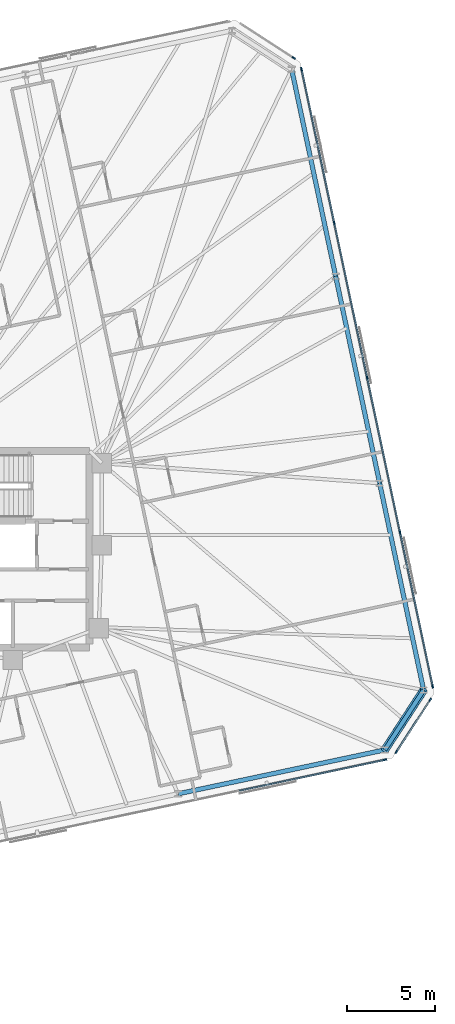
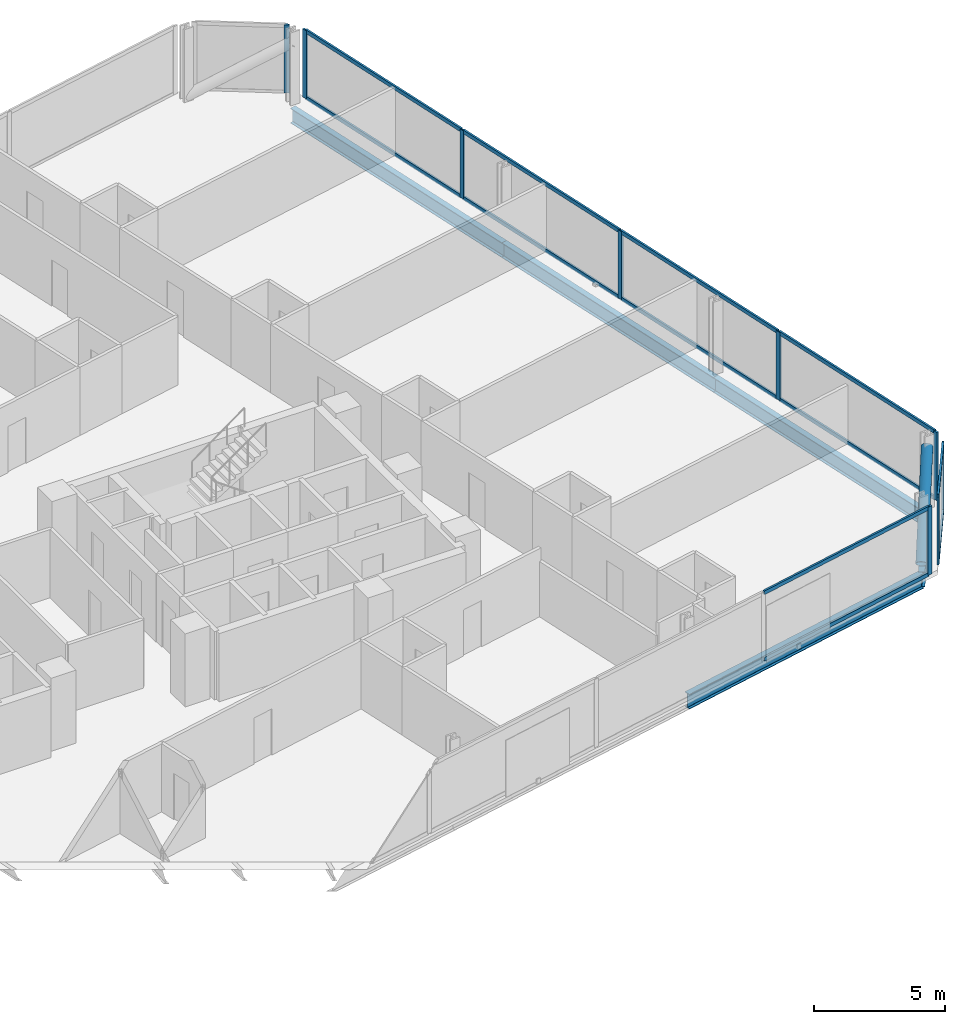
# One storey, part 12 of 19: 22 members, 5 beams, 4 elements without a shape of their own.
"""IFC4 building model written with IfcOpenShell, lengths in metres."""

import ifcopenshell
import ifcopenshell.guid

model = None  # the IFC model being written
_history = None  # IfcOwnerHistory: only IFC2X3 demands one
_inside = {}  # id of a spatial element -> (the spatial element, [elements in it])
_under = {}  # id of a project, library or spatial element -> (it, [spatial elements below it])
_declared = {}  # id of a project -> (the project, [libraries it declares])
_typed = {}  # id of a type object -> (the type object, [elements of that type])
_made_of = {}  # id of a material, layer set ... -> (it, [elements and type objects made of it])


def new_model(schema):
    """Start an empty IFC model of exactly this schema.

    Asked for "IFC4X3", IfcOpenShell would pick the latest addendum, in which some entities
    have other attributes; the version numbers below select the first issue.
    IFC2X3 requires an IfcOwnerHistory on every rooted entity: one is made here for all.
    """
    global model, _history
    if schema == "IFC4X3":
        model = ifcopenshell.file(schema_version=(4, 3, 0, 0))
    else:
        model = ifcopenshell.file(schema=schema)
    _inside.clear()
    _under.clear()
    _declared.clear()
    _typed.clear()
    _made_of.clear()
    _history = None
    if model.schema == "IFC2X3":
        org = make("IfcOrganization", Name="unknown")
        user = make(
            "IfcPersonAndOrganization",
            ThePerson=make("IfcPerson", FamilyName="unknown"),
            TheOrganization=org,
        )
        app = make(
            "IfcApplication",
            ApplicationDeveloper=org,
            Version="unknown",
            ApplicationFullName="unknown",
            ApplicationIdentifier="unknown",
        )
        _history = make(
            "IfcOwnerHistory",
            OwningUser=user,
            OwningApplication=app,
            ChangeAction="ADDED",
            CreationDate=0,
        )
    return model


def make(cls, **values):
    """One entity of the class cls with the attributes given. An attribute that is None is left unset."""
    return model.create_entity(
        cls, **{name: value for name, value in values.items() if value is not None}
    )


def rooted(cls, **values):
    """An entity with a GlobalId (a new one), such as an element, a storey or a relation."""
    return make(cls, GlobalId=ifcopenshell.guid.new(), OwnerHistory=_history, **values)


def si_unit(unit_type, name, prefix=None):
    """IfcSIUnit, for example si_unit("LENGTHUNIT", "METRE", prefix="MILLI")."""
    return make("IfcSIUnit", UnitType=unit_type, Prefix=prefix, Name=name)


def assignment(units):
    """IfcUnitAssignment: the units of a project."""
    return None if units is None else make("IfcUnitAssignment", Units=units)


def point(xyz):
    """IfcCartesianPoint."""
    return None if xyz is None else make("IfcCartesianPoint", Coordinates=xyz)


def direction(xyz):
    """IfcDirection."""
    return None if xyz is None else make("IfcDirection", DirectionRatios=xyz)


def frame(location, z_axis=None, x_axis=None):
    """IfcAxis2Placement3D, a coordinate frame: its origin and axes. An axis left out is left unset."""
    return make(
        "IfcAxis2Placement3D",
        Location=point(location),
        Axis=direction(z_axis),
        RefDirection=direction(x_axis),
    )


def frame_2d(location, x_axis=None):
    """IfcAxis2Placement2D, a coordinate frame in the plane: its origin and x axis."""
    return make(
        "IfcAxis2Placement2D", Location=point(location), RefDirection=direction(x_axis)
    )


def origin():
    """The frame at (0, 0, 0) with its axes left unset."""
    return frame((0.0, 0.0, 0.0))


def origin_2d():
    """The frame at (0, 0) in the plane with its x axis left unset."""
    return frame_2d((0.0, 0.0))


def place(relative_to, where):
    """IfcLocalPlacement: puts the frame where relative to a parent placement (None: the world)."""
    return make(
        "IfcLocalPlacement", PlacementRelTo=relative_to, RelativePlacement=where
    )


def context(
    kind, dimensions, precision=None, world=None, true_north=None, identifier=None
):
    """IfcGeometricRepresentationContext, for example the 3D "Model" context."""
    return make(
        "IfcGeometricRepresentationContext",
        ContextIdentifier=identifier,
        ContextType=kind,
        CoordinateSpaceDimension=dimensions,
        Precision=precision,
        WorldCoordinateSystem=world,
        TrueNorth=true_north,
    )


def subcontext(parent, identifier, kind, view, scale=None):
    """IfcGeometricRepresentationSubContext, for example "Body" below "Model"."""
    return make(
        "IfcGeometricRepresentationSubContext",
        ContextIdentifier=identifier,
        ContextType=kind,
        ParentContext=parent,
        TargetScale=scale,
        TargetView=view,
    )


def project(units=None, contexts=None):
    """IfcProject with its units and contexts."""
    return rooted(
        "IfcProject",
        Name="project",
        RepresentationContexts=contexts,
        UnitsInContext=assignment(units),
    )


def spatial(cls, under=None, at=None, **own):
    """A site, building, storey or space (cls), placed at a placement, below another one or the project."""
    s = rooted(cls, ObjectPlacement=at, **own)
    if under is not None:
        _under.setdefault(under.id(), (under, []))[1].append(s)
    return s


def profile(cls, at=None, kind="AREA", **sizes):
    """A parametric profile (cls). Its sizes go by their IFC names, for example OverallWidth=200.0."""
    return make(cls, ProfileType=kind, Position=at, **sizes)


def rectangle(**sizes):
    """IfcRectangleProfileDef."""
    return profile("IfcRectangleProfileDef", **sizes)


def hollow_circle(**sizes):
    """IfcCircleHollowProfileDef."""
    return profile("IfcCircleHollowProfileDef", **sizes)


def i_section(**sizes):
    """IfcIShapeProfileDef."""
    return profile("IfcIShapeProfileDef", **sizes)


def extrude(swept, where, along, depth):
    """IfcExtrudedAreaSolid: the profile swept, set in the frame where, extruded along a direction by depth."""
    return make(
        "IfcExtrudedAreaSolid",
        SweptArea=swept,
        Position=where,
        ExtrudedDirection=direction(along),
        Depth=depth,
    )


def shape(context_of_items, identifier, shape_type, items):
    """IfcShapeRepresentation: the items that make up one representation, for example the "Body"."""
    return make(
        "IfcShapeRepresentation",
        ContextOfItems=context_of_items,
        RepresentationIdentifier=identifier,
        RepresentationType=shape_type,
        Items=items,
    )


def material(Name=None, Category=None):
    """IfcMaterial."""
    return make("IfcMaterial", Name=Name, Category=Category)


def material_profile(
    of_material, cross_section, Name=None, Category=None, Priority=None
):
    """IfcMaterialProfile: a cross section and its material."""
    return make(
        "IfcMaterialProfile",
        Name=Name,
        Material=of_material,
        Profile=cross_section,
        Priority=Priority,
        Category=Category,
    )


def profile_set(profiles, Name=None, composite=None):
    """IfcMaterialProfileSet."""
    return make(
        "IfcMaterialProfileSet",
        Name=Name,
        MaterialProfiles=profiles,
        CompositeProfile=composite,
    )


def made_of(thing, what):
    """Note that an element or type object is made of a material, layer set ...; save() writes the relation."""
    if what is not None:
        _made_of.setdefault(what.id(), (what, []))[1].append(thing)
    return thing


def type_object(cls, material=None, **own):
    """A type object (cls), such as IfcWallType, which elements share."""
    return made_of(rooted(cls, **own), material)


def element(
    cls,
    number,
    at=None,
    inside=None,
    cuts=None,
    type_object=None,
    material=None,
    context=None,
    identifier="Body",
    shape_type=None,
    held_by="IfcProductDefinitionShape",
    body=None,
    shapes=None,
    **own,
):
    """One element of the class cls, such as IfcWall. Its Tag is "e" and its number.

    at: its placement. inside: the storey or other place that contains it. cuts: it is an
    opening in that element (IfcRelVoidsElement). A single representation is given by context,
    identifier, shape_type and body (its items); several are given by shapes. held_by: the class
    of the entity that holds the representations. save() writes the other relations.
    """
    e = rooted(cls, Tag="e%d" % number, ObjectPlacement=at, **own)
    if body is not None:
        shapes = [shape(context, identifier, shape_type, body)]
    if shapes is not None:
        e.Representation = make(held_by, Representations=shapes)
    if inside is not None:
        _inside.setdefault(inside.id(), (inside, []))[1].append(e)
    if cuts is not None:
        rooted(
            "IfcRelVoidsElement", RelatingBuildingElement=cuts, RelatedOpeningElement=e
        )
    if type_object is not None:
        _typed.setdefault(type_object.id(), (type_object, []))[1].append(e)
    return made_of(e, material)


def aggregate(whole, parts):
    """IfcRelAggregates: a whole, such as a stair, and the parts it consists of."""
    return rooted("IfcRelAggregates", RelatingObject=whole, RelatedObjects=parts)


def save(model, path):
    """Write the relations noted so far, then the file.

    IfcRelAggregates (storeys below a building ...), IfcRelContainedInSpatialStructure (elements
    in a storey), IfcRelDefinesByType, IfcRelAssociatesMaterial and IfcRelDeclares: one each for
    every whole, place, type object, material and project.
    """
    for whole, parts in _under.values():
        aggregate(whole, parts)
    for where, things in _inside.values():
        rooted(
            "IfcRelContainedInSpatialStructure",
            RelatedElements=things,
            RelatingStructure=where,
        )
    for kind, things in _typed.values():
        rooted("IfcRelDefinesByType", RelatedObjects=things, RelatingType=kind)
    for what, things in _made_of.values():
        rooted("IfcRelAssociatesMaterial", RelatedObjects=things, RelatingMaterial=what)
    for by, libraries in _declared.values():
        rooted("IfcRelDeclares", RelatingContext=by, RelatedDefinitions=libraries)
    model.write(path)


model = new_model("IFC4")

# Units and contexts
model_context = context("Model", 3, precision=1e-05, world=origin(), true_north=direction((0.0, 1.0)))
body_context = subcontext(model_context, "Body", "Model", "MODEL_VIEW")
ifc_project = project(units=[si_unit("LENGTHUNIT", "METRE"), si_unit("AREAUNIT", "SQUARE_METRE"), si_unit("VOLUMEUNIT", "CUBIC_METRE"), si_unit("PLANEANGLEUNIT", "RADIAN"), si_unit("MASSUNIT", "GRAM", prefix="KILO")], contexts=[model_context])

# Site, building, storey
site_placement = place(None, origin())
site = spatial("IfcSite", under=ifc_project, at=site_placement, CompositionType="ELEMENT")
building_placement = place(site_placement, origin())
building = spatial("IfcBuilding", under=site, at=building_placement, Name="Menara Jurai Vektor", CompositionType="ELEMENT")
storey_placement = place(building_placement, frame((0.0, 0.0, 195.60009765625)))
storey = spatial("IfcBuildingStorey", under=building, at=storey_placement, Name="L51", CompositionType="ELEMENT", Elevation=195.60009765625)

# Curtain wall, member
ifc_material_1 = material(Name="Anodised Pale Aluminium & Low-E Double Glazing", Category="aluminium")
curtain_wall_type = type_object("IfcCurtainWallType", Name="CW-BLK3", PredefinedType="NOTDEFINED", material=ifc_material_1)
curtain_wall_1_placement = place(storey_placement, origin())
curtain_wall_1 = element("IfcCurtainWall", 1, at=curtain_wall_1_placement, inside=storey, type_object=curtain_wall_type, Name="Unitised Curtain Wall L51 F01", PredefinedType="NOTDEFINED")
ifc_material_2 = material(Name="Anodised Pale Aluminium Mullion", Category="aluminium")
ifc_material_profile_1 = material_profile(ifc_material_2, rectangle(XDim=0.0849609375, YDim=0.205078125, at=origin_2d()), Name="ALU MUL 85x205")
ifc_profile_set_1 = profile_set([ifc_material_profile_1], Name="Anodised Pale Aluminium Mullion")
member_type_1 = type_object("IfcMemberType", Name="CW-BLK3-MUL", PredefinedType="MULLION", material=ifc_profile_set_1)
member_1_placement = place(storey_placement, frame((31.392578125, -11.99755859375, 0.0), z_axis=(0.0, 0.0, 1.0), x_axis=(-0.207911344156, 0.978147674419, 0.0)))
member_1 = element("IfcMember", 2, at=member_1_placement, type_object=member_type_1, Name="CW-03 mullion 8", PredefinedType="MULLION", context=body_context, shape_type="SweptSolid", body=[
    extrude(rectangle(XDim=0.0849609375, YDim=0.205078125, at=origin_2d()), origin(), (0.0, 0.0, 1.0), 3.1748046875),
])

# Curtain wall, members
curtain_wall_2_placement = place(storey_placement, origin())
curtain_wall_2 = element("IfcCurtainWall", 3, at=curtain_wall_2_placement, inside=storey, type_object=curtain_wall_type, Name="Unitised Curtain Wall L51 F02", PredefinedType="NOTDEFINED")
member_2_placement = place(storey_placement, frame((32.035888671875, -11.555419921875, 0.0), z_axis=(0.0, 0.0, 1.0), x_axis=(-0.838684361415, 0.544617794346, 0.0)))
member_2 = element("IfcMember", 4, at=member_2_placement, type_object=member_type_1, Name="CW-03 mullion 1", PredefinedType="MULLION", context=body_context, shape_type="SweptSolid", body=[
    extrude(rectangle(XDim=0.0849609375, YDim=0.205078125, at=origin_2d()), origin(), (0.0, 0.0, 1.0), 3.1748046875),
])
member_3_placement = place(storey_placement, frame((33.96337890625, -8.587158203125, 0.0), z_axis=(0.0, 0.0, 1.0), x_axis=(-0.838684361415, 0.544617794346, 0.0)))
member_3 = element("IfcMember", 5, at=member_3_placement, type_object=member_type_1, Name="CW-03 mullion 2", PredefinedType="MULLION", context=body_context, shape_type="SweptSolid", body=[
    extrude(rectangle(XDim=0.0849609375, YDim=0.205078125, at=origin_2d()), origin(), (0.0, 0.0, 1.0), 3.1748046875),
])

curtain_wall_3_placement = place(storey_placement, origin())
curtain_wall_3 = element("IfcCurtainWall", 6, at=curtain_wall_3_placement, inside=storey, type_object=curtain_wall_type, Name="Unitised Curtain Wall L51 F03", PredefinedType="NOTDEFINED")
member_4_placement = place(storey_placement, frame((34.105712890625, -7.819580078125, 0.0), z_axis=(0.0, 0.0, 1.0), x_axis=(-0.978147883949, -0.20791035839, 0.0)))
member_4 = element("IfcMember", 7, at=member_4_placement, type_object=member_type_1, Name="CW-03 mullion 1", PredefinedType="MULLION", context=body_context, shape_type="SweptSolid", body=[
    extrude(rectangle(XDim=0.0849609375, YDim=0.205078125, at=origin_2d()), origin(), (0.0, 0.0, 1.0), 3.1748046875),
])
member_5_placement = place(storey_placement, frame((32.2412109375, 0.951904296875, 0.0), z_axis=(0.0, 0.0, 1.0), x_axis=(-0.978147883949, -0.20791035839, 0.0)))
member_5 = element("IfcMember", 8, at=member_5_placement, type_object=member_type_1, Name="CW-03 mullion 2", PredefinedType="MULLION", context=body_context, shape_type="SweptSolid", body=[
    extrude(rectangle(XDim=0.0849609375, YDim=0.205078125, at=origin_2d()), origin(), (0.0, 0.0, 1.0), 3.1748046875),
])
member_6_placement = place(storey_placement, frame((30.367919921875, 9.76513671875, 0.0), z_axis=(0.0, 0.0, 1.0), x_axis=(-0.978147883949, -0.20791035839, 0.0)))
member_6 = element("IfcMember", 9, at=member_6_placement, type_object=member_type_1, Name="CW-03 mullion 3", PredefinedType="MULLION", context=body_context, shape_type="SweptSolid", body=[
    extrude(rectangle(XDim=0.0849609375, YDim=0.205078125, at=origin_2d()), origin(), (0.0, 0.0, 1.0), 3.1748046875),
])
member_7_placement = place(storey_placement, frame((28.49462890625, 18.578125, 0.0), z_axis=(0.0, 0.0, 1.0), x_axis=(-0.978147883949, -0.20791035839, 0.0)))
member_7 = element("IfcMember", 10, at=member_7_placement, type_object=member_type_1, Name="CW-03 mullion 4", PredefinedType="MULLION", context=body_context, shape_type="SweptSolid", body=[
    extrude(rectangle(XDim=0.0849609375, YDim=0.205078125, at=origin_2d()), origin(), (0.0, 0.0, 1.0), 3.1748046875),
])
member_8_placement = place(storey_placement, frame((26.630126953125, 27.349609375, 0.0), z_axis=(0.0, 0.0, 1.0), x_axis=(-0.978147883949, -0.20791035839, 0.0)))
member_8 = element("IfcMember", 11, at=member_8_placement, type_object=member_type_1, Name="CW-03 mullion 5", PredefinedType="MULLION", context=body_context, shape_type="SweptSolid", body=[
    extrude(rectangle(XDim=0.0849609375, YDim=0.205078125, at=origin_2d()), origin(), (0.0, 0.0, 1.0), 3.1748046875),
])

# Curtain wall, member
curtain_wall_4_placement = place(storey_placement, origin())
curtain_wall_4 = element("IfcCurtainWall", 12, at=curtain_wall_4_placement, inside=storey, type_object=curtain_wall_type, Name="Unitised Curtain Wall L51 F04", PredefinedType="NOTDEFINED")
member_9_placement = place(storey_placement, frame((26.18798828125, 27.9931640625, 0.0), z_axis=(0.0, 0.0, 1.0), x_axis=(-0.544617794346, -0.838684361415, 0.0)))
member_9 = element("IfcMember", 13, at=member_9_placement, type_object=member_type_1, Name="CW-03 mullion 1", PredefinedType="MULLION", context=body_context, shape_type="SweptSolid", body=[
    extrude(rectangle(XDim=0.0849609375, YDim=0.205078125, at=origin_2d()), origin(), (0.0, 0.0, 1.0), 3.1748046875),
])
aggregate(curtain_wall_4, [member_9])

# Member
ifc_material_3 = material(Name="Anodised Pale Aluminium Transom", Category="aluminium")
ifc_material_profile_2 = material_profile(ifc_material_3, rectangle(XDim=0.0849609375, YDim=0.175048828125, at=origin_2d()), Name="ALU TRN 85x175")
ifc_profile_set_2 = profile_set([ifc_material_profile_2], Name="Anodised Pale Aluminium Transom")
member_type_2 = type_object("IfcMemberType", Name="CW-BLK3-TRN", PredefinedType="USERDEFINED", material=ifc_profile_set_2)
member_10_placement = place(storey_placement, frame((23.0859375, -13.76318359375, 0.04248046875), z_axis=(0.978146953428, 0.207914736128, 0.0), x_axis=(-0.207914736128, 0.978146953428, 0.0)))
member_10 = element("IfcMember", 14, at=member_10_placement, type_object=member_type_2, Name="CW-03 transom 7.1", ObjectType="TRANSOM", PredefinedType="USERDEFINED", context=body_context, shape_type="SweptSolid", body=[
    extrude(rectangle(XDim=0.0849609375, YDim=0.175048828125, at=origin_2d()), origin(), (0.0, 0.0, 1.0), 8.44970703125),
])

member_11_placement = place(storey_placement, frame((23.0859375, -13.76318359375, 3.13232421875), z_axis=(0.978146953428, 0.207914736128, 0.0), x_axis=(-0.207914736128, 0.978146953428, 0.0)))
member_11 = element("IfcMember", 15, at=member_11_placement, type_object=member_type_2, Name="CW-03 transom 7.2", ObjectType="TRANSOM", PredefinedType="USERDEFINED", context=body_context, shape_type="SweptSolid", body=[
    extrude(rectangle(XDim=0.0849609375, YDim=0.175048828125, at=origin_2d()), origin(), (0.0, 0.0, 1.0), 8.44970703125),
])

aggregate(curtain_wall_1, [member_1, member_10, member_11])

member_12_placement = place(storey_placement, frame((32.05908203125, -11.519775390625, 0.04248046875), z_axis=(0.54459575764, 0.838698671014, 0.0), x_axis=(-0.838698671014, 0.54459575764, 0.0)))
member_12 = element("IfcMember", 16, at=member_12_placement, type_object=member_type_2, Name="CW-03 transom 1.1", ObjectType="TRANSOM", PredefinedType="USERDEFINED", context=body_context, shape_type="SweptSolid", body=[
    extrude(rectangle(XDim=0.0849609375, YDim=0.175048828125, at=origin_2d()), origin(), (0.0, 0.0, 1.0), 3.4541015625),
])

member_13_placement = place(storey_placement, frame((32.05908203125, -11.519775390625, 3.13232421875), z_axis=(0.54459575764, 0.838698671014, 0.0), x_axis=(-0.838698671014, 0.54459575764, 0.0)))
member_13 = element("IfcMember", 17, at=member_13_placement, type_object=member_type_2, Name="CW-03 transom 1.2", ObjectType="TRANSOM", PredefinedType="USERDEFINED", context=body_context, shape_type="SweptSolid", body=[
    extrude(rectangle(XDim=0.0849609375, YDim=0.175048828125, at=origin_2d()), origin(), (0.0, 0.0, 1.0), 3.4541015625),
])

aggregate(curtain_wall_2, [member_2, member_3, member_12, member_13])

member_14_placement = place(storey_placement, frame((34.096923828125, -7.778076171875, 0.04248046875), z_axis=(-0.207925814542, 0.978144598537, 0.0), x_axis=(-0.978144598537, -0.207925814542, 0.0)))
member_14 = element("IfcMember", 18, at=member_14_placement, type_object=member_type_2, Name="CW-03 transom 1.1", ObjectType="TRANSOM", PredefinedType="USERDEFINED", context=body_context, shape_type="SweptSolid", body=[
    extrude(rectangle(XDim=0.0849609375, YDim=0.175048828125, at=origin_2d()), origin(), (0.0, 0.0, 1.0), 8.882568359375),
])

member_15_placement = place(storey_placement, frame((34.096923828125, -7.778076171875, 3.13232421875), z_axis=(-0.207925814542, 0.978144598537, 0.0), x_axis=(-0.978144598537, -0.207925814542, 0.0)))
member_15 = element("IfcMember", 19, at=member_15_placement, type_object=member_type_2, Name="CW-03 transom 1.2", ObjectType="TRANSOM", PredefinedType="USERDEFINED", context=body_context, shape_type="SweptSolid", body=[
    extrude(rectangle(XDim=0.0849609375, YDim=0.175048828125, at=origin_2d()), origin(), (0.0, 0.0, 1.0), 8.882568359375),
])

member_16_placement = place(storey_placement, frame((32.232421875, 0.993408203125, 0.04248046875), z_axis=(-0.207922224243, 0.978145361726, 0.0), x_axis=(-0.978145361726, -0.207922224243, 0.0)))
member_16 = element("IfcMember", 20, at=member_16_placement, type_object=member_type_2, Name="CW-03 transom 2.1", ObjectType="TRANSOM", PredefinedType="USERDEFINED", context=body_context, shape_type="SweptSolid", body=[
    extrude(rectangle(XDim=0.0849609375, YDim=0.175048828125, at=origin_2d()), origin(), (0.0, 0.0, 1.0), 8.925048828125),
])

member_17_placement = place(storey_placement, frame((32.232421875, 0.993408203125, 3.13232421875), z_axis=(-0.207922224243, 0.978145361726, 0.0), x_axis=(-0.978145361726, -0.207922224243, 0.0)))
member_17 = element("IfcMember", 21, at=member_17_placement, type_object=member_type_2, Name="CW-03 transom 2.2", ObjectType="TRANSOM", PredefinedType="USERDEFINED", context=body_context, shape_type="SweptSolid", body=[
    extrude(rectangle(XDim=0.0849609375, YDim=0.175048828125, at=origin_2d()), origin(), (0.0, 0.0, 1.0), 8.925048828125),
])

member_18_placement = place(storey_placement, frame((30.359130859375, 9.806640625, 0.04248046875), z_axis=(-0.207922224243, 0.978145361726, 0.0), x_axis=(-0.978145361726, -0.207922224243, 0.0)))
member_18 = element("IfcMember", 22, at=member_18_placement, type_object=member_type_2, Name="CW-03 transom 3.1", ObjectType="TRANSOM", PredefinedType="USERDEFINED", context=body_context, shape_type="SweptSolid", body=[
    extrude(rectangle(XDim=0.0849609375, YDim=0.175048828125, at=origin_2d()), origin(), (0.0, 0.0, 1.0), 8.925048828125),
])

member_19_placement = place(storey_placement, frame((30.359130859375, 9.806640625, 3.13232421875), z_axis=(-0.207922224243, 0.978145361726, 0.0), x_axis=(-0.978145361726, -0.207922224243, 0.0)))
member_19 = element("IfcMember", 23, at=member_19_placement, type_object=member_type_2, Name="CW-03 transom 3.2", ObjectType="TRANSOM", PredefinedType="USERDEFINED", context=body_context, shape_type="SweptSolid", body=[
    extrude(rectangle(XDim=0.0849609375, YDim=0.175048828125, at=origin_2d()), origin(), (0.0, 0.0, 1.0), 8.925048828125),
])

member_20_placement = place(storey_placement, frame((28.48583984375, 18.61962890625, 0.04248046875), z_axis=(-0.207899517354, 0.978150188204, 0.0), x_axis=(-0.978150188204, -0.207899517354, 0.0)))
member_20 = element("IfcMember", 24, at=member_20_placement, type_object=member_type_2, Name="CW-03 transom 4.1", ObjectType="TRANSOM", PredefinedType="USERDEFINED", context=body_context, shape_type="SweptSolid", body=[
    extrude(rectangle(XDim=0.0849609375, YDim=0.175048828125, at=origin_2d()), origin(), (0.0, 0.0, 1.0), 8.882568359375),
])

member_21_placement = place(storey_placement, frame((28.48583984375, 18.61962890625, 3.13232421875), z_axis=(-0.207899517354, 0.978150188204, 0.0), x_axis=(-0.978150188204, -0.207899517354, 0.0)))
member_21 = element("IfcMember", 25, at=member_21_placement, type_object=member_type_2, Name="CW-03 transom 4.2", ObjectType="TRANSOM", PredefinedType="USERDEFINED", context=body_context, shape_type="SweptSolid", body=[
    extrude(rectangle(XDim=0.0849609375, YDim=0.175048828125, at=origin_2d()), origin(), (0.0, 0.0, 1.0), 8.882568359375),
])

aggregate(curtain_wall_3, [member_4, member_5, member_6, member_7, member_8, member_14, member_15, member_16, member_17, member_18, member_19, member_20, member_21])

ifc_material_4 = material(Name="Steel S460", Category="steel")
ifc_material_profile_3 = material_profile(ifc_material_4, hollow_circle(Radius=0.228515625, WallThickness=0.01611328125, at=origin_2d()), Name="CHS 457x16")
ifc_profile_set_3 = profile_set([ifc_material_profile_3], Name="Steel S460")
member_type_3 = type_object("IfcMemberType", Name="STR-BR-457", PredefinedType="BRACE", material=ifc_profile_set_3)
member_22_placement = place(storey_placement, frame((31.376220703125, -11.438720703125, 0.14990234375), z_axis=(0.454871874024, 0.700428396616, 0.549992399435), x_axis=(-0.838665998507, 0.544646071268, 0.0)))
element("IfcMember", 26, at=member_22_placement, inside=storey, type_object=member_type_3, Name="Exoskeleton Corner Brace L51-1", PredefinedType="BRACE", context=body_context, shape_type="SweptSolid", body=[
    extrude(hollow_circle(Radius=0.228515625, WallThickness=0.01611328125, at=origin_2d()), origin(), (0.0, 0.0, 1.0), 4.86376953125),
])

# Beams
ifc_material_profile_4 = material_profile(ifc_material_4, i_section(OverallWidth=0.256103515625, OverallDepth=0.693115234375, WebThickness=0.013916015625, FlangeThickness=0.02392578125, FilletRadius=0.014892578125, at=origin_2d()), Name="UKB 686x254x170")
ifc_profile_set_4 = profile_set([ifc_material_profile_4], Name="Steel S460")
beam_type = type_object("IfcBeamType", Name="STR-SP-686", PredefinedType="SPANDREL", material=ifc_profile_set_4)
beam_1_placement = place(storey_placement, frame((19.608154296875, -13.940185546875, -0.571533203125), z_axis=(0.97814616202, 0.207918459318, 0.0), x_axis=(-0.207918459318, 0.97814616202, 0.0)))
element("IfcBeam", 27, at=beam_1_placement, inside=storey, type_object=beam_type, Name="Exoskeleton Spandrel Beam L51-05", PredefinedType="SPANDREL", context=body_context, shape_type="SweptSolid", body=[
    extrude(i_section(OverallWidth=0.256103515625, OverallDepth=0.693115234375, WebThickness=0.013916015625, FlangeThickness=0.02392578125, FilletRadius=0.014892578125, at=origin_2d()), origin(), (0.0, 0.0, 1.0), 12.031005859375),
])
beam_2_placement = place(storey_placement, frame((31.376220703125, -11.438720703125, -0.571533203125), z_axis=(0.544646071268, 0.838665998507, 0.0), x_axis=(-0.838665998507, 0.544646071268, 0.0)))
element("IfcBeam", 28, at=beam_2_placement, inside=storey, type_object=beam_type, Name="Exoskeleton Spandrel Beam L51-06", PredefinedType="SPANDREL", context=body_context, shape_type="SweptSolid", body=[
    extrude(i_section(OverallWidth=0.256103515625, OverallDepth=0.693115234375, WebThickness=0.013916015625, FlangeThickness=0.02392578125, FilletRadius=0.014892578125, at=origin_2d()), origin(), (0.0, 0.0, 1.0), 4.06201171875),
])
beam_3_placement = place(storey_placement, frame((33.588623046875, -8.031982421875, -0.571533203125), z_axis=(-0.207925382659, 0.978144690343, 0.0), x_axis=(-0.978144690343, -0.207925382659, 0.0)))
element("IfcBeam", 29, at=beam_3_placement, inside=storey, type_object=beam_type, Name="Exoskeleton Spandrel Beam L51-07", PredefinedType="SPANDREL", context=body_context, shape_type="SweptSolid", body=[
    extrude(i_section(OverallWidth=0.256103515625, OverallDepth=0.693115234375, WebThickness=0.013916015625, FlangeThickness=0.02392578125, FilletRadius=0.014892578125, at=origin_2d()), origin(), (0.0, 0.0, 1.0), 12.0517578125),
])
for number, where, z_axis, x_axis, name in (
    (30, (31.082763671875, 3.75634765625, -0.571533203125), (-0.207901880993, 0.978149685825, 0.0), (-0.978149685825, -0.207901880993, 0.0), "Exoskeleton Spandrel Beam L51-08"),
    (31, (28.5771484375, 15.544921875, -0.571533203125), (-0.207921262698, 0.978145566119, 0.0), (-0.978145566119, -0.207921262698, 0.0), "Exoskeleton Spandrel Beam L51-09"),
):
    element("IfcBeam", number, at=place(storey_placement, frame(where, z_axis=z_axis, x_axis=x_axis)), inside=storey, type_object=beam_type, Name=name, PredefinedType="SPANDREL", context=body_context, shape_type="SweptSolid", body=[
        extrude(i_section(OverallWidth=0.256103515625, OverallDepth=0.693115234375, WebThickness=0.013916015625, FlangeThickness=0.02392578125, FilletRadius=0.014892578125, at=origin_2d()), origin(), (0.0, 0.0, 1.0), 12.052001953125),
    ])

save(model, "model.ifc")
